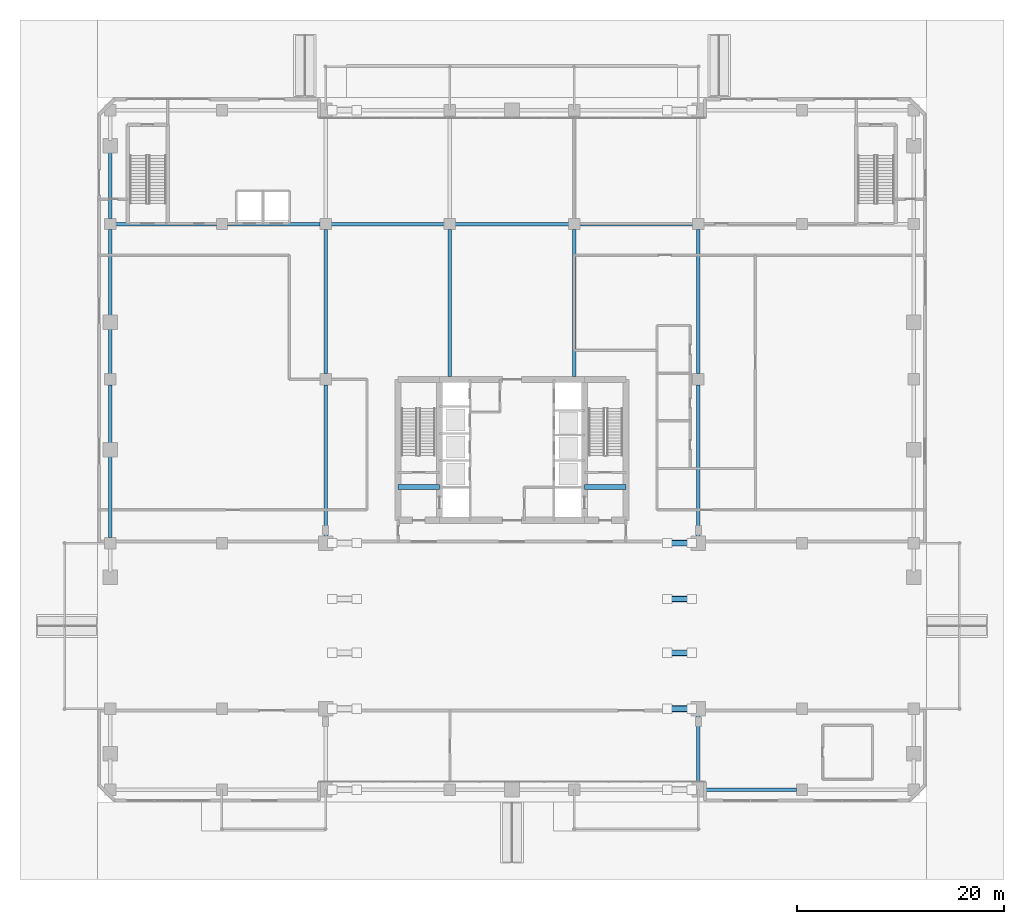
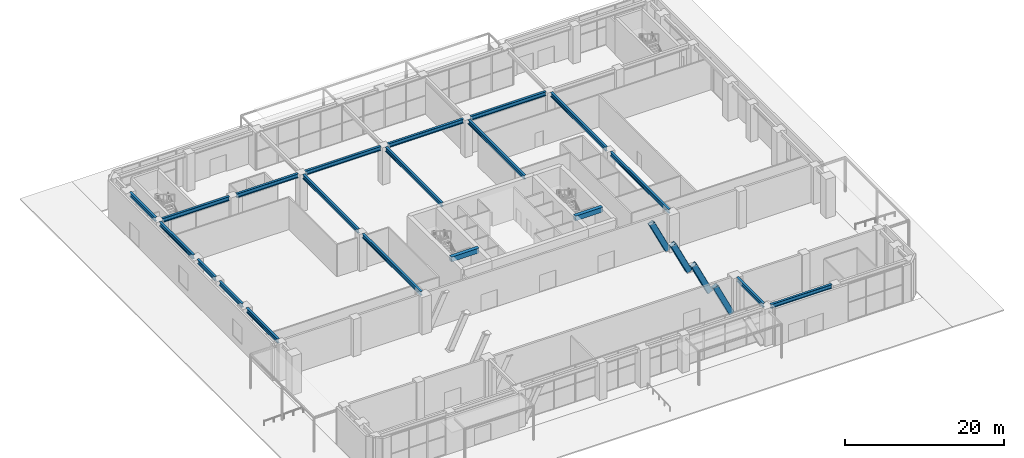
# One storey, part 19 of 49: 20 beams, 4 members.
"""IFC4 building model written with IfcOpenShell, lengths in metres."""

from ifc_helpers import new_model, si_unit, direction, frame, origin, origin_2d, place, context, subcontext, project, spatial, rectangle, hollow_rectangle, i_section, extrude, material, material_profile, profile_set, type_object, element, save


model = new_model("IFC4")

# Units and contexts
model_context = context("Model", 3, precision=1e-05, world=origin(), true_north=direction((0.0, 1.0)))
body_context = subcontext(model_context, "Body", "Model", "MODEL_VIEW")
ifc_project = project(units=[si_unit("LENGTHUNIT", "METRE"), si_unit("AREAUNIT", "SQUARE_METRE"), si_unit("VOLUMEUNIT", "CUBIC_METRE"), si_unit("PLANEANGLEUNIT", "RADIAN"), si_unit("MASSUNIT", "GRAM", prefix="KILO")], contexts=[model_context])

# Site, building, storey
site_placement = place(None, origin())
site = spatial("IfcSite", under=ifc_project, at=site_placement, CompositionType="ELEMENT")
building_placement = place(site_placement, origin())
building = spatial("IfcBuilding", under=site, at=building_placement, Name="Sarneth Arch Tower", CompositionType="ELEMENT")
storey_placement = place(building_placement, origin())
storey = spatial("IfcBuildingStorey", under=building, at=storey_placement, Name="L00", CompositionType="ELEMENT", Elevation=0.0)

# Beams
ifc_material_1 = material(Name="Concrete C50/60", Category="concrete")
ifc_material_profile_1 = material_profile(ifc_material_1, rectangle(XDim=0.5, YDim=0.75, at=origin_2d()), Name="RC-500x750")
ifc_profile_set_1 = profile_set([ifc_material_profile_1], Name="Concrete C50/60")
beam_type_1 = type_object("IfcBeamType", Name="BM-LINTEL-RC", PredefinedType="LINTEL", material=ifc_profile_set_1)
for number, where, z_axis, x_axis, name in (
    (1, (37.0, 38.39990234375, 5.344970703125), (1.0, 0.0, 0.0), (0.0, 1.0, 0.0), "L00 Core coupling lintel W"),
    (2, (55.0, 38.39990234375, 5.344970703125), (1.0, 0.0, 0.0), (0.0, 1.0, 0.0), "L00 Core coupling lintel E"),
):
    element("IfcBeam", number, at=place(storey_placement, frame(where, z_axis=z_axis, x_axis=x_axis)), inside=storey, type_object=beam_type_1, Name=name, PredefinedType="LINTEL", context=body_context, shape_type="SweptSolid", body=[
        extrude(rectangle(XDim=0.5, YDim=0.75, at=origin_2d()), origin(), (0.0, 0.0, 1.0), 4.0),
    ])
ifc_material_2 = material(Name="Steel S355", Category="steel")
ifc_material_profile_2 = material_profile(ifc_material_2, i_section(OverallWidth=0.3291015625, OverallDepth=0.635009765625, WebThickness=0.017822265625, FlangeThickness=0.031005859375, FilletRadius=0.01904296875, at=origin_2d()), Name="W610x241")
ifc_profile_set_2 = profile_set([ifc_material_profile_2], Name="Steel S355")
beam_type_2 = type_object("IfcBeamType", Name="BM-POD-610", PredefinedType="BEAM", material=ifc_profile_set_2)
beam_1_placement = place(storey_placement, frame((66.6044921875, 9.199951171875, 5.402587890625), z_axis=(1.0, 0.0, 0.0), x_axis=(0.0, 1.0, 0.0)))
element("IfcBeam", 3, at=beam_1_placement, inside=storey, type_object=beam_type_2, Name="L00 Podium PS girder 7", PredefinedType="BEAM", context=body_context, shape_type="SweptSolid", body=[
    extrude(i_section(OverallWidth=0.3291015625, OverallDepth=0.635009765625, WebThickness=0.017822265625, FlangeThickness=0.031005859375, FilletRadius=0.01904296875, at=origin_2d()), origin(), (0.0, 0.0, 1.0), 8.87548828125),
])
beam_2_placement = place(storey_placement, frame((9.719970703125, 63.800048828125, 5.402587890625), z_axis=(1.0, 0.0, 0.0), x_axis=(0.0, 1.0, 0.0)))
element("IfcBeam", 4, at=beam_2_placement, inside=storey, type_object=beam_type_2, Name="L00 Podium PC girder 1", PredefinedType="BEAM", context=body_context, shape_type="SweptSolid", body=[
    extrude(i_section(OverallWidth=0.3291015625, OverallDepth=0.635009765625, WebThickness=0.017822265625, FlangeThickness=0.031005859375, FilletRadius=0.01904296875, at=origin_2d()), origin(), (0.0, 0.0, 1.0), 9.760009765625),
])
beam_3_placement = place(storey_placement, frame((20.52001953125, 63.800048828125, 5.402587890625), z_axis=(1.0, 0.0, 0.0), x_axis=(0.0, 1.0, 0.0)))
element("IfcBeam", 5, at=beam_3_placement, inside=storey, type_object=beam_type_2, Name="L00 Podium PC girder 2", PredefinedType="BEAM", context=body_context, shape_type="SweptSolid", body=[
    extrude(i_section(OverallWidth=0.3291015625, OverallDepth=0.635009765625, WebThickness=0.017822265625, FlangeThickness=0.031005859375, FilletRadius=0.01904296875, at=origin_2d()), origin(), (0.0, 0.0, 1.0), 8.9599609375),
])
for number, where, z_axis, x_axis, name in (
    (6, (30.52001953125, 63.800048828125, 5.402587890625), (1.0, 0.0, 0.0), (0.0, 1.0, 0.0), "L00 Podium PC girder 3"),
    (7, (42.52001953125, 63.800048828125, 5.402587890625), (1.0, 0.0, 0.0), (0.0, 1.0, 0.0), "L00 Podium PC girder 4"),
    (8, (54.52001953125, 63.800048828125, 5.402587890625), (1.0, 0.0, 0.0), (0.0, 1.0, 0.0), "L00 Podium PC girder 5"),
):
    element("IfcBeam", number, at=place(storey_placement, frame(where, z_axis=z_axis, x_axis=x_axis)), inside=storey, type_object=beam_type_2, Name=name, PredefinedType="BEAM", context=body_context, shape_type="SweptSolid", body=[
        extrude(i_section(OverallWidth=0.3291015625, OverallDepth=0.635009765625, WebThickness=0.017822265625, FlangeThickness=0.031005859375, FilletRadius=0.01904296875, at=origin_2d()), origin(), (0.0, 0.0, 1.0), 10.9599609375),
    ])
beam_4_placement = place(storey_placement, frame((9.199951171875, 33.52001953125, 5.402587890625), z_axis=(0.0, 1.0, 0.0), x_axis=(-1.0, 0.0, 0.0)))
element("IfcBeam", 9, at=beam_4_placement, inside=storey, type_object=beam_type_2, Name="L00 Podium PW girder 5", PredefinedType="BEAM", context=body_context, shape_type="SweptSolid", body=[
    extrude(i_section(OverallWidth=0.3291015625, OverallDepth=0.635009765625, WebThickness=0.017822265625, FlangeThickness=0.031005859375, FilletRadius=0.01904296875, at=origin_2d()), origin(), (0.0, 0.0, 1.0), 7.9599609375),
])
beam_5_placement = place(storey_placement, frame((9.199951171875, 42.52001953125, 5.402587890625), z_axis=(0.0, 1.0, 0.0), x_axis=(-1.0, 0.0, 0.0)))
element("IfcBeam", 10, at=beam_5_placement, inside=storey, type_object=beam_type_2, Name="L00 Podium PW girder 6", PredefinedType="BEAM", context=body_context, shape_type="SweptSolid", body=[
    extrude(i_section(OverallWidth=0.3291015625, OverallDepth=0.635009765625, WebThickness=0.017822265625, FlangeThickness=0.031005859375, FilletRadius=0.01904296875, at=origin_2d()), origin(), (0.0, 0.0, 1.0), 5.760009765625),
])
beam_6_placement = place(storey_placement, frame((9.199951171875, 49.320068359375, 5.402587890625), z_axis=(0.0, 1.0, 0.0), x_axis=(-1.0, 0.0, 0.0)))
element("IfcBeam", 11, at=beam_6_placement, inside=storey, type_object=beam_type_2, Name="L00 Podium PW girder 7", PredefinedType="BEAM", context=body_context, shape_type="SweptSolid", body=[
    extrude(i_section(OverallWidth=0.3291015625, OverallDepth=0.635009765625, WebThickness=0.017822265625, FlangeThickness=0.031005859375, FilletRadius=0.01904296875, at=origin_2d()), origin(), (0.0, 0.0, 1.0), 4.477783203125),
])
beam_7_placement = place(storey_placement, frame((9.199951171875, 54.837890625, 5.402587890625), z_axis=(0.0, 1.0, 0.0), x_axis=(-1.0, 0.0, 0.0)))
element("IfcBeam", 12, at=beam_7_placement, inside=storey, type_object=beam_type_2, Name="L00 Podium PW girder 8", PredefinedType="BEAM", context=body_context, shape_type="SweptSolid", body=[
    extrude(i_section(OverallWidth=0.3291015625, OverallDepth=0.635009765625, WebThickness=0.017822265625, FlangeThickness=0.031005859375, FilletRadius=0.01904296875, at=origin_2d()), origin(), (0.0, 0.0, 1.0), 8.442138671875),
])
beam_8_placement = place(storey_placement, frame((9.199951171875, 64.320068359375, 5.402587890625), z_axis=(0.0, 1.0, 0.0), x_axis=(-1.0, 0.0, 0.0)))
element("IfcBeam", 13, at=beam_8_placement, inside=storey, type_object=beam_type_2, Name="L00 Podium PW girder 9", PredefinedType="BEAM", context=body_context, shape_type="SweptSolid", body=[
    extrude(i_section(OverallWidth=0.3291015625, OverallDepth=0.635009765625, WebThickness=0.017822265625, FlangeThickness=0.031005859375, FilletRadius=0.01904296875, at=origin_2d()), origin(), (0.0, 0.0, 1.0), 6.49658203125),
])
beam_9_placement = place(storey_placement, frame((30.0, 33.550048828125, 5.402587890625), z_axis=(0.0, 1.0, 0.0), x_axis=(-1.0, 0.0, 0.0)))
element("IfcBeam", 14, at=beam_9_placement, inside=storey, type_object=beam_type_2, Name="L00 Podium N-S girder W30.2", PredefinedType="BEAM", context=body_context, shape_type="SweptSolid", body=[
    extrude(i_section(OverallWidth=0.3291015625, OverallDepth=0.635009765625, WebThickness=0.017822265625, FlangeThickness=0.031005859375, FilletRadius=0.01904296875, at=origin_2d()), origin(), (0.0, 0.0, 1.0), 14.699951171875),
])
beam_10_placement = place(storey_placement, frame((30.0, 49.35009765625, 5.402587890625), z_axis=(0.0, 1.0, 0.0), x_axis=(-1.0, 0.0, 0.0)))
element("IfcBeam", 15, at=beam_10_placement, inside=storey, type_object=beam_type_2, Name="L00 Podium N-S girder W30.3", PredefinedType="BEAM", context=body_context, shape_type="SweptSolid", body=[
    extrude(i_section(OverallWidth=0.3291015625, OverallDepth=0.635009765625, WebThickness=0.017822265625, FlangeThickness=0.031005859375, FilletRadius=0.01904296875, at=origin_2d()), origin(), (0.0, 0.0, 1.0), 13.89990234375),
])
beam_11_placement = place(storey_placement, frame((66.0, 9.75, 5.402587890625), z_axis=(0.0, 1.0, 0.0), x_axis=(-1.0, 0.0, 0.0)))
element("IfcBeam", 16, at=beam_11_placement, inside=storey, type_object=beam_type_2, Name="L00 Podium N-S girder E66.1", PredefinedType="BEAM", context=body_context, shape_type="SweptSolid", body=[
    extrude(i_section(OverallWidth=0.3291015625, OverallDepth=0.635009765625, WebThickness=0.017822265625, FlangeThickness=0.031005859375, FilletRadius=0.01904296875, at=origin_2d()), origin(), (0.0, 0.0, 1.0), 6.699951171875),
])
beam_12_placement = place(storey_placement, frame((66.0, 33.550048828125, 5.402587890625), z_axis=(0.0, 1.0, 0.0), x_axis=(-1.0, 0.0, 0.0)))
element("IfcBeam", 17, at=beam_12_placement, inside=storey, type_object=beam_type_2, Name="L00 Podium N-S girder E66.2", PredefinedType="BEAM", context=body_context, shape_type="SweptSolid", body=[
    extrude(i_section(OverallWidth=0.3291015625, OverallDepth=0.635009765625, WebThickness=0.017822265625, FlangeThickness=0.031005859375, FilletRadius=0.01904296875, at=origin_2d()), origin(), (0.0, 0.0, 1.0), 14.699951171875),
])
beam_13_placement = place(storey_placement, frame((66.0, 49.35009765625, 5.402587890625), z_axis=(0.0, 1.0, 0.0), x_axis=(-1.0, 0.0, 0.0)))
element("IfcBeam", 18, at=beam_13_placement, inside=storey, type_object=beam_type_2, Name="L00 Podium N-S girder E66.3", PredefinedType="BEAM", context=body_context, shape_type="SweptSolid", body=[
    extrude(i_section(OverallWidth=0.3291015625, OverallDepth=0.635009765625, WebThickness=0.017822265625, FlangeThickness=0.031005859375, FilletRadius=0.01904296875, at=origin_2d()), origin(), (0.0, 0.0, 1.0), 13.89990234375),
])
for number, where, z_axis, x_axis, name in (
    (19, (42.0, 49.10009765625, 5.402587890625), (0.0, 1.0, 0.0), (-1.0, 0.0, 0.0), "L00 Core-north girder C42.1"),
    (20, (54.0, 49.10009765625, 5.402587890625), (0.0, 1.0, 0.0), (-1.0, 0.0, 0.0), "L00 Core-north girder C54.1"),
):
    element("IfcBeam", number, at=place(storey_placement, frame(where, z_axis=z_axis, x_axis=x_axis)), inside=storey, type_object=beam_type_2, Name=name, PredefinedType="BEAM", context=body_context, shape_type="SweptSolid", body=[
        extrude(i_section(OverallWidth=0.3291015625, OverallDepth=0.635009765625, WebThickness=0.017822265625, FlangeThickness=0.031005859375, FilletRadius=0.01904296875, at=origin_2d()), origin(), (0.0, 0.0, 1.0), 14.14990234375),
    ])

# Members
ifc_material_3 = material(Name="Steel S355", Category="steel")
ifc_material_profile_3 = material_profile(ifc_material_3, hollow_rectangle(XDim=0.60009765625, YDim=0.800048828125, WallThickness=0.028076171875, InnerFilletRadius=0.0419921875, OuterFilletRadius=0.070068359375, at=origin_2d()), Name="RHS800x600x28")
ifc_profile_set_3 = profile_set([ifc_material_profile_3], Name="Steel S355")
member_type = type_object("IfcMemberType", Name="MEM-ARCH-CHORD", PredefinedType="CHORD", material=ifc_profile_set_3)
for number, where, z_axis, x_axis, name in (
    (21, (63.0, 17.0, 5.03125), (0.433788519804, 0.0, -0.901014716909), (0.0, 1.0, 0.0), "Podium parabolic arch rib 2 segment 12"),
    (22, (63.0, 22.39990234375, 5.03125), (0.433788519804, 0.0, -0.901014716909), (0.0, 1.0, 0.0), "Podium parabolic arch rib 3 segment 12"),
    (23, (63.0, 27.60009765625, 5.03125), (0.433788519804, 0.0, -0.901014716909), (0.0, 1.0, 0.0), "Podium parabolic arch rib 4 segment 12"),
    (24, (63.0, 33.0, 5.03125), (0.433788519804, 0.0, -0.901014716909), (0.0, 1.0, 0.0), "Podium parabolic arch rib 5 segment 12"),
):
    element("IfcMember", number, at=place(storey_placement, frame(where, z_axis=z_axis, x_axis=x_axis)), inside=storey, type_object=member_type, Name=name, PredefinedType="CHORD", context=body_context, shape_type="SweptSolid", body=[
        extrude(hollow_rectangle(XDim=0.60009765625, YDim=0.800048828125, WallThickness=0.028076171875, InnerFilletRadius=0.0419921875, OuterFilletRadius=0.070068359375, at=origin_2d()), origin(), (0.0, 0.0, 1.0), 5.417724609375),
    ])

save(model, "model.ifc")
